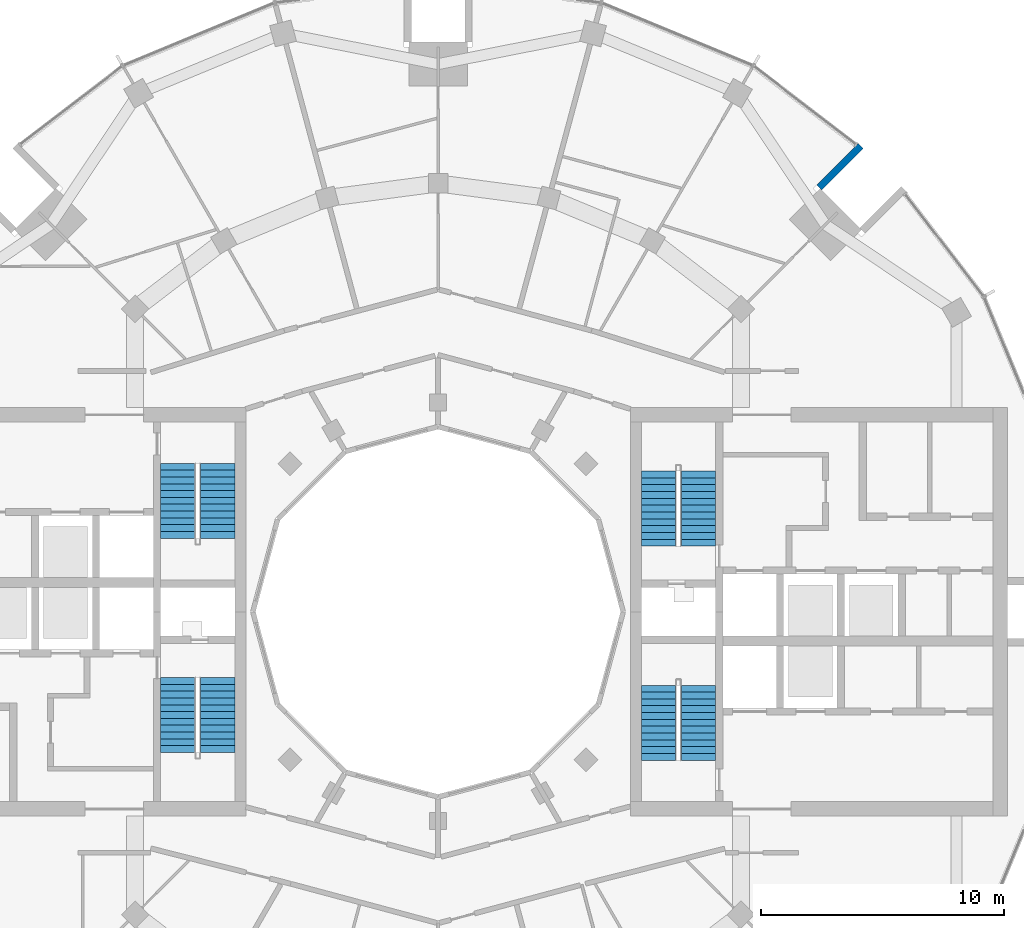
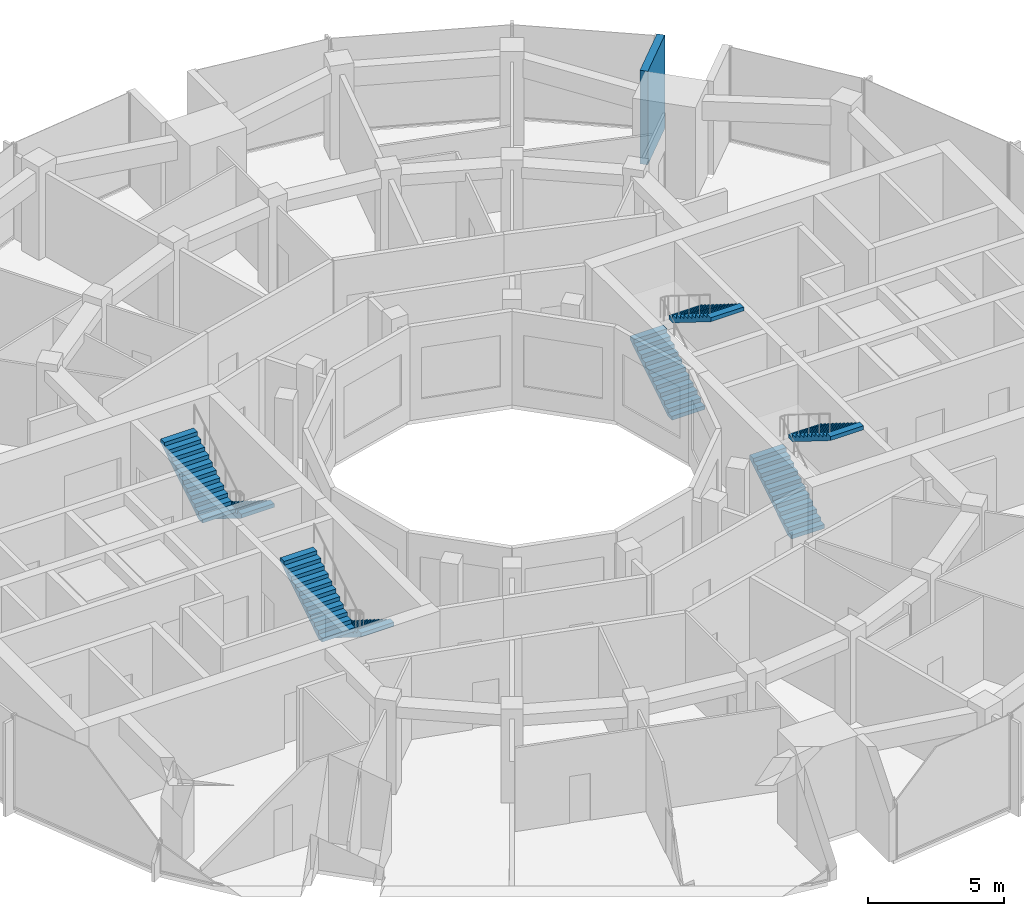
# One storey, part 13 of 15: 8 stair flights, 1 wall, 4 elements without a shape of their own.
"""IFC4 building model written with IfcOpenShell, lengths in metres."""

from ifc_helpers import new_model, si_unit, direction, frame, frame_2d, origin, place, context, subcontext, project, spatial, polyline, rectangle, outline, extrude, material, layer, layer_set, type_object, element, aggregate, save


model = new_model("IFC4")

# Units and contexts
model_context = context("Model", 3, precision=1e-05, world=origin(), true_north=direction((0.0, 1.0)))
body_context = subcontext(model_context, "Body", "Model", "MODEL_VIEW")
ifc_project = project(units=[si_unit("LENGTHUNIT", "METRE"), si_unit("AREAUNIT", "SQUARE_METRE"), si_unit("VOLUMEUNIT", "CUBIC_METRE"), si_unit("PLANEANGLEUNIT", "RADIAN"), si_unit("MASSUNIT", "GRAM", prefix="KILO")], contexts=[model_context])

# Site, building, storey
site_placement = place(None, origin())
site = spatial("IfcSite", under=ifc_project, at=site_placement, CompositionType="ELEMENT")
building_placement = place(site_placement, origin())
building = spatial("IfcBuilding", under=site, at=building_placement, Name="Torre Brocal", CompositionType="ELEMENT")
storey_placement = place(building_placement, frame((0.0, 0.0, 245.699951171875)))
storey = spatial("IfcBuildingStorey", under=building, at=storey_placement, Name="L56", CompositionType="ELEMENT", Elevation=245.699951171875)

# Wall
ifc_material_1 = material(Name="Concrete C60", Category="concrete")
ifc_layer_1 = layer(ifc_material_1, 0.300048828125)
ifc_layer_set_1 = layer_set([ifc_layer_1], Name="Concrete C60")
wall_type = type_object("IfcWallType", Name="NOTCH RETURN WALL 300 C60", PredefinedType="NOTDEFINED", material=ifc_layer_set_1)
wall_placement = place(storey_placement, frame((95.662353515625, 92.43017578125, 0.0), z_axis=(0.0, 0.0, 1.0), x_axis=(0.707106781187, 0.707106781187, 0.0)))
element("IfcWall", 1, at=wall_placement, inside=storey, type_object=wall_type, Name="NOTCH RETURN WALL", PredefinedType="NOTDEFINED", context=body_context, shape_type="SweptSolid", body=[
    extrude(rectangle(XDim=2.415771484375, YDim=0.300048828125, at=frame_2d((1.2080078125, 0.0))), origin(), (0.0, 0.0, 1.0), 4.199951171875),
])

# Stair, stair flights
ifc_material_2 = material(Name="Concrete C50", Category="concrete")
stair_type = type_object("IfcStairType", Name="EXIT STAIR", PredefinedType="HALF_TURN_STAIR", material=ifc_material_2)
stair_1_placement = place(storey_placement, origin())
stair_1 = element("IfcStair", 2, at=stair_1_placement, inside=storey, type_object=stair_type, Name="EXIT STAIR ST1", PredefinedType="HALF_TURN_STAIR")
ifc_material_3 = material(Name="Concrete C50", Category="concrete")
ifc_layer_2 = layer(ifc_material_3, 0.14990234375)
ifc_layer_set_2 = layer_set([ifc_layer_2], Name="Concrete C50")
stair_flight_type = type_object("IfcStairFlightType", Name="STAIR FLIGHT", PredefinedType="STRAIGHT", material=ifc_layer_set_2)
stair_flight_1_placement = place(storey_placement, frame((89.050048828125, 77.699951171875, 0.0), z_axis=(0.0, 0.0, 1.0), x_axis=(0.0, 1.0, 0.0)))
stair_flight_1 = element("IfcStairFlight", 3, at=stair_flight_1_placement, type_object=stair_flight_type, Name="ST1 flight 1", NumberOfRisers=12, NumberOfTreads=11, PredefinedType="STRAIGHT", RiserHeight=0.175, TreadLength=0.28, context=body_context, shape_type="SweptSolid", body=[
    extrude(outline(polyline([(0.0, 0.0), (0.0, 0.175048828125), (0.280029296875, 0.175048828125), (0.280029296875, 0.35009765625), (0.56005859375, 0.35009765625), (0.56005859375, 0.52490234375), (0.840087890625, 0.52490234375), (0.840087890625, 0.699951171875), (1.1201171875, 0.699951171875), (1.1201171875, 0.875), (1.39990234375, 0.875), (1.39990234375, 1.050048828125), (1.679931640625, 1.050048828125), (1.679931640625, 1.22509765625), (1.9599609375, 1.22509765625), (1.9599609375, 1.39990234375), (2.239990234375, 1.39990234375), (2.239990234375, 1.574951171875), (2.52001953125, 1.574951171875), (2.52001953125, 1.75), (2.800048828125, 1.75), (2.800048828125, 1.925048828125), (3.080078125, 1.925048828125), (3.080078125, 2.10009765625), (3.080078125, 1.748291015625), (0.28271484375, 0.0), (0.0, 0.0)])), frame((0.0, 0.699951171875, 0.0), z_axis=(0.0, -1.0, 0.0), x_axis=(1.0, 0.0, 0.0)), (0.0, 0.0, 1.0), 1.39990234375),
])
stair_flight_2_placement = place(storey_placement, frame((90.699951171875, 80.780029296875, 2.10009765625), z_axis=(0.0, 0.0, 1.0), x_axis=(0.0, -1.0, 0.0)))
stair_flight_2 = element("IfcStairFlight", 4, at=stair_flight_2_placement, type_object=stair_flight_type, Name="ST1 flight 2", NumberOfRisers=12, NumberOfTreads=11, PredefinedType="STRAIGHT", RiserHeight=0.175, TreadLength=0.28, context=body_context, shape_type="SweptSolid", body=[
    extrude(outline(polyline([(0.0, 0.0), (0.0, 0.175048828125), (0.280029296875, 0.175048828125), (0.280029296875, 0.35009765625), (0.56005859375, 0.35009765625), (0.56005859375, 0.52490234375), (0.840087890625, 0.52490234375), (0.840087890625, 0.699951171875), (1.1201171875, 0.699951171875), (1.1201171875, 0.875), (1.39990234375, 0.875), (1.39990234375, 1.050048828125), (1.679931640625, 1.050048828125), (1.679931640625, 1.22509765625), (1.9599609375, 1.22509765625), (1.9599609375, 1.39990234375), (2.239990234375, 1.39990234375), (2.239990234375, 1.574951171875), (2.52001953125, 1.574951171875), (2.52001953125, 1.75), (2.800048828125, 1.75), (2.800048828125, 1.925048828125), (3.080078125, 1.925048828125), (3.080078125, 2.10009765625), (3.080078125, 1.748291015625), (0.28271484375, 0.0), (0.0, 0.0)])), frame((0.0, 0.699951171875, 0.0), z_axis=(0.0, -1.0, 0.0), x_axis=(1.0, 0.0, 0.0)), (0.0, 0.0, 1.0), 1.39990234375),
])
aggregate(stair_1, [stair_flight_1, stair_flight_2])

stair_2_placement = place(storey_placement, origin())
stair_2 = element("IfcStair", 5, at=stair_2_placement, inside=storey, type_object=stair_type, Name="EXIT STAIR ST2", PredefinedType="HALF_TURN_STAIR")
stair_flight_3_placement = place(storey_placement, frame((89.050048828125, 68.89990234375, 0.0), z_axis=(0.0, 0.0, 1.0), x_axis=(0.0, 1.0, 0.0)))
stair_flight_3 = element("IfcStairFlight", 6, at=stair_flight_3_placement, type_object=stair_flight_type, Name="ST2 flight 1", NumberOfRisers=12, NumberOfTreads=11, PredefinedType="STRAIGHT", RiserHeight=0.175, TreadLength=0.28, context=body_context, shape_type="SweptSolid", body=[
    extrude(outline(polyline([(0.0, 0.0), (0.0, 0.175048828125), (0.280029296875, 0.175048828125), (0.280029296875, 0.35009765625), (0.56005859375, 0.35009765625), (0.56005859375, 0.52490234375), (0.840087890625, 0.52490234375), (0.840087890625, 0.699951171875), (1.1201171875, 0.699951171875), (1.1201171875, 0.875), (1.39990234375, 0.875), (1.39990234375, 1.050048828125), (1.679931640625, 1.050048828125), (1.679931640625, 1.22509765625), (1.9599609375, 1.22509765625), (1.9599609375, 1.39990234375), (2.239990234375, 1.39990234375), (2.239990234375, 1.574951171875), (2.52001953125, 1.574951171875), (2.52001953125, 1.75), (2.800048828125, 1.75), (2.800048828125, 1.925048828125), (3.080078125, 1.925048828125), (3.080078125, 2.10009765625), (3.080078125, 1.748291015625), (0.28271484375, 0.0), (0.0, 0.0)])), frame((0.0, 0.699951171875, 0.0), z_axis=(0.0, -1.0, 0.0), x_axis=(1.0, 0.0, 0.0)), (0.0, 0.0, 1.0), 1.39990234375),
])
stair_flight_4_placement = place(storey_placement, frame((90.699951171875, 71.97998046875, 2.10009765625), z_axis=(0.0, 0.0, 1.0), x_axis=(0.0, -1.0, 0.0)))
stair_flight_4 = element("IfcStairFlight", 7, at=stair_flight_4_placement, type_object=stair_flight_type, Name="ST2 flight 2", NumberOfRisers=12, NumberOfTreads=11, PredefinedType="STRAIGHT", RiserHeight=0.175, TreadLength=0.28, context=body_context, shape_type="SweptSolid", body=[
    extrude(outline(polyline([(0.0, 0.0), (0.0, 0.175048828125), (0.280029296875, 0.175048828125), (0.280029296875, 0.35009765625), (0.56005859375, 0.35009765625), (0.56005859375, 0.52490234375), (0.840087890625, 0.52490234375), (0.840087890625, 0.699951171875), (1.1201171875, 0.699951171875), (1.1201171875, 0.875), (1.39990234375, 0.875), (1.39990234375, 1.050048828125), (1.679931640625, 1.050048828125), (1.679931640625, 1.22509765625), (1.9599609375, 1.22509765625), (1.9599609375, 1.39990234375), (2.239990234375, 1.39990234375), (2.239990234375, 1.574951171875), (2.52001953125, 1.574951171875), (2.52001953125, 1.75), (2.800048828125, 1.75), (2.800048828125, 1.925048828125), (3.080078125, 1.925048828125), (3.080078125, 2.10009765625), (3.080078125, 1.748291015625), (0.28271484375, 0.0), (0.0, 0.0)])), frame((0.0, 0.699951171875, 0.0), z_axis=(0.0, -1.0, 0.0), x_axis=(1.0, 0.0, 0.0)), (0.0, 0.0, 1.0), 1.39990234375),
])
aggregate(stair_2, [stair_flight_3, stair_flight_4])

stair_3_placement = place(storey_placement, origin())
stair_3 = element("IfcStair", 8, at=stair_3_placement, inside=storey, type_object=stair_type, Name="EXIT STAIR ST3", PredefinedType="HALF_TURN_STAIR")
stair_flight_5_placement = place(storey_placement, frame((70.949951171875, 72.300048828125, 0.0), z_axis=(0.0, 0.0, 1.0), x_axis=(0.0, -1.0, 0.0)))
stair_flight_5 = element("IfcStairFlight", 9, at=stair_flight_5_placement, type_object=stair_flight_type, Name="ST3 flight 1", NumberOfRisers=12, NumberOfTreads=11, PredefinedType="STRAIGHT", RiserHeight=0.175, TreadLength=0.28, context=body_context, shape_type="SweptSolid", body=[
    extrude(outline(polyline([(0.0, 0.0), (0.0, 0.175048828125), (0.280029296875, 0.175048828125), (0.280029296875, 0.35009765625), (0.56005859375, 0.35009765625), (0.56005859375, 0.52490234375), (0.840087890625, 0.52490234375), (0.840087890625, 0.699951171875), (1.1201171875, 0.699951171875), (1.1201171875, 0.875), (1.39990234375, 0.875), (1.39990234375, 1.050048828125), (1.679931640625, 1.050048828125), (1.679931640625, 1.22509765625), (1.9599609375, 1.22509765625), (1.9599609375, 1.39990234375), (2.239990234375, 1.39990234375), (2.239990234375, 1.574951171875), (2.52001953125, 1.574951171875), (2.52001953125, 1.75), (2.800048828125, 1.75), (2.800048828125, 1.925048828125), (3.080078125, 1.925048828125), (3.080078125, 2.10009765625), (3.080078125, 1.748291015625), (0.28271484375, 0.0), (0.0, 0.0)])), frame((0.0, 0.699951171875, 0.0), z_axis=(0.0, -1.0, 0.0), x_axis=(1.0, 0.0, 0.0)), (0.0, 0.0, 1.0), 1.39990234375),
])
stair_flight_6_placement = place(storey_placement, frame((69.300048828125, 69.219970703125, 2.10009765625), z_axis=(0.0, 0.0, 1.0), x_axis=(0.0, 1.0, 0.0)))
stair_flight_6 = element("IfcStairFlight", 10, at=stair_flight_6_placement, type_object=stair_flight_type, Name="ST3 flight 2", NumberOfRisers=12, NumberOfTreads=11, PredefinedType="STRAIGHT", RiserHeight=0.175, TreadLength=0.28, context=body_context, shape_type="SweptSolid", body=[
    extrude(outline(polyline([(0.0, 0.0), (0.0, 0.175048828125), (0.280029296875, 0.175048828125), (0.280029296875, 0.35009765625), (0.56005859375, 0.35009765625), (0.56005859375, 0.52490234375), (0.840087890625, 0.52490234375), (0.840087890625, 0.699951171875), (1.1201171875, 0.699951171875), (1.1201171875, 0.875), (1.39990234375, 0.875), (1.39990234375, 1.050048828125), (1.679931640625, 1.050048828125), (1.679931640625, 1.22509765625), (1.9599609375, 1.22509765625), (1.9599609375, 1.39990234375), (2.239990234375, 1.39990234375), (2.239990234375, 1.574951171875), (2.52001953125, 1.574951171875), (2.52001953125, 1.75), (2.800048828125, 1.75), (2.800048828125, 1.925048828125), (3.080078125, 1.925048828125), (3.080078125, 2.10009765625), (3.080078125, 1.748291015625), (0.28271484375, 0.0), (0.0, 0.0)])), frame((0.0, 0.699951171875, 0.0), z_axis=(0.0, -1.0, 0.0), x_axis=(1.0, 0.0, 0.0)), (0.0, 0.0, 1.0), 1.39990234375),
])
aggregate(stair_3, [stair_flight_5, stair_flight_6])

stair_4_placement = place(storey_placement, origin())
stair_4 = element("IfcStair", 11, at=stair_4_placement, inside=storey, type_object=stair_type, Name="EXIT STAIR ST4", PredefinedType="HALF_TURN_STAIR")
stair_flight_7_placement = place(storey_placement, frame((70.949951171875, 81.10009765625, 0.0), z_axis=(0.0, 0.0, 1.0), x_axis=(0.0, -1.0, 0.0)))
stair_flight_7 = element("IfcStairFlight", 12, at=stair_flight_7_placement, type_object=stair_flight_type, Name="ST4 flight 1", NumberOfRisers=12, NumberOfTreads=11, PredefinedType="STRAIGHT", RiserHeight=0.175, TreadLength=0.28, context=body_context, shape_type="SweptSolid", body=[
    extrude(outline(polyline([(0.0, 0.0), (0.0, 0.175048828125), (0.280029296875, 0.175048828125), (0.280029296875, 0.35009765625), (0.56005859375, 0.35009765625), (0.56005859375, 0.52490234375), (0.840087890625, 0.52490234375), (0.840087890625, 0.699951171875), (1.1201171875, 0.699951171875), (1.1201171875, 0.875), (1.39990234375, 0.875), (1.39990234375, 1.050048828125), (1.679931640625, 1.050048828125), (1.679931640625, 1.22509765625), (1.9599609375, 1.22509765625), (1.9599609375, 1.39990234375), (2.239990234375, 1.39990234375), (2.239990234375, 1.574951171875), (2.52001953125, 1.574951171875), (2.52001953125, 1.75), (2.800048828125, 1.75), (2.800048828125, 1.925048828125), (3.080078125, 1.925048828125), (3.080078125, 2.10009765625), (3.080078125, 1.748291015625), (0.28271484375, 0.0), (0.0, 0.0)])), frame((0.0, 0.699951171875, 0.0), z_axis=(0.0, -1.0, 0.0), x_axis=(1.0, 0.0, 0.0)), (0.0, 0.0, 1.0), 1.39990234375),
])
stair_flight_8_placement = place(storey_placement, frame((69.300048828125, 78.02001953125, 2.10009765625), z_axis=(0.0, 0.0, 1.0), x_axis=(0.0, 1.0, 0.0)))
stair_flight_8 = element("IfcStairFlight", 13, at=stair_flight_8_placement, type_object=stair_flight_type, Name="ST4 flight 2", NumberOfRisers=12, NumberOfTreads=11, PredefinedType="STRAIGHT", RiserHeight=0.175, TreadLength=0.28, context=body_context, shape_type="SweptSolid", body=[
    extrude(outline(polyline([(0.0, 0.0), (0.0, 0.175048828125), (0.280029296875, 0.175048828125), (0.280029296875, 0.35009765625), (0.56005859375, 0.35009765625), (0.56005859375, 0.52490234375), (0.840087890625, 0.52490234375), (0.840087890625, 0.699951171875), (1.1201171875, 0.699951171875), (1.1201171875, 0.875), (1.39990234375, 0.875), (1.39990234375, 1.050048828125), (1.679931640625, 1.050048828125), (1.679931640625, 1.22509765625), (1.9599609375, 1.22509765625), (1.9599609375, 1.39990234375), (2.239990234375, 1.39990234375), (2.239990234375, 1.574951171875), (2.52001953125, 1.574951171875), (2.52001953125, 1.75), (2.800048828125, 1.75), (2.800048828125, 1.925048828125), (3.080078125, 1.925048828125), (3.080078125, 2.10009765625), (3.080078125, 1.748291015625), (0.28271484375, 0.0), (0.0, 0.0)])), frame((0.0, 0.699951171875, 0.0), z_axis=(0.0, -1.0, 0.0), x_axis=(1.0, 0.0, 0.0)), (0.0, 0.0, 1.0), 1.39990234375),
])
aggregate(stair_4, [stair_flight_7, stair_flight_8])

save(model, "model.ifc")
